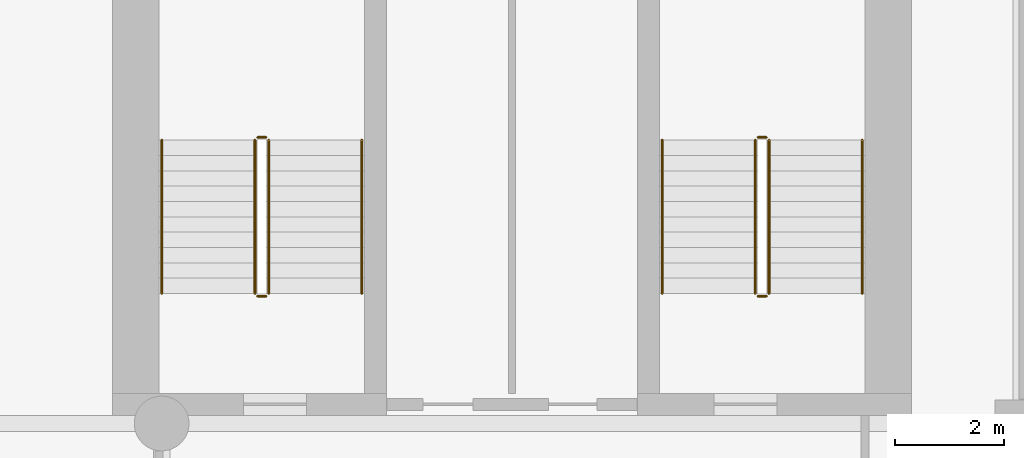
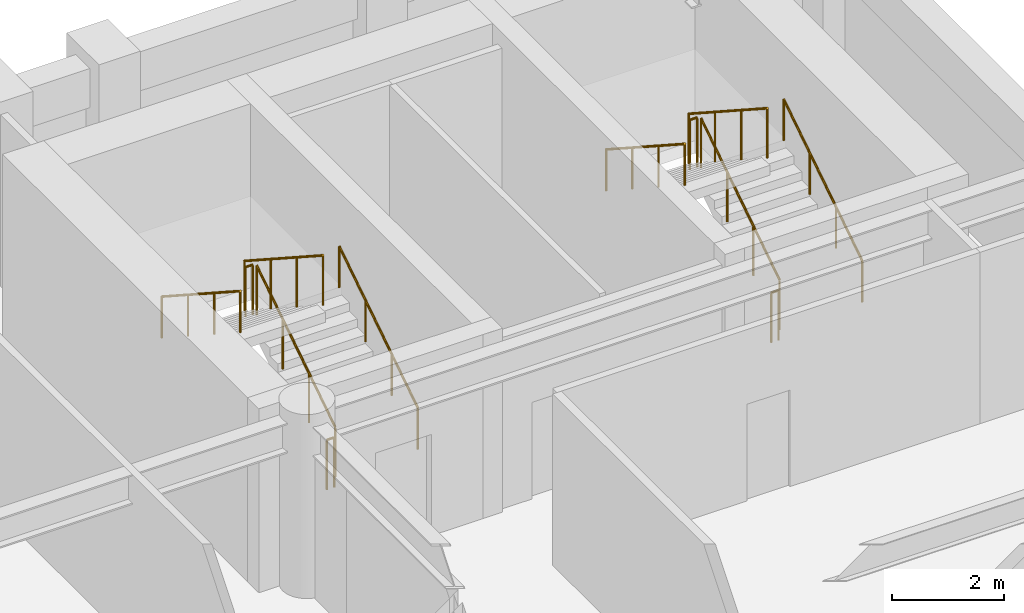
# One storey, part 9 of 9: 12 railings.
"""IFC4 building model written with IfcOpenShell, lengths in metres."""

from ifc_helpers import new_model, si_unit, direction, frame, origin, origin_2d, place, context, subcontext, project, spatial, circle, extrude, material, type_object, element, save


model = new_model("IFC4")

# Units and contexts
model_context = context("Model", 3, precision=1e-05, world=origin(), true_north=direction((0.0, 1.0)))
body_context = subcontext(model_context, "Body", "Model", "MODEL_VIEW")
ifc_project = project(units=[si_unit("LENGTHUNIT", "METRE"), si_unit("AREAUNIT", "SQUARE_METRE"), si_unit("VOLUMEUNIT", "CUBIC_METRE"), si_unit("PLANEANGLEUNIT", "RADIAN"), si_unit("MASSUNIT", "GRAM", prefix="KILO")], contexts=[model_context])

# Site, building, storey
site_placement = place(None, origin())
site = spatial("IfcSite", under=ifc_project, at=site_placement, CompositionType="ELEMENT")
building_placement = place(site_placement, origin())
building = spatial("IfcBuilding", under=site, at=building_placement, Name="Sulina Concourse Tower", CompositionType="ELEMENT")
storey_placement = place(building_placement, frame((0.0, 0.0, 120.60009765625)))
storey = spatial("IfcBuildingStorey", under=building, at=storey_placement, Name="L29", CompositionType="ELEMENT", Elevation=120.60009765625)

# Railings
ifc_material_1 = material(Name="Galvanised steel railing", Category="steel")
railing_type_1 = type_object("IfcRailingType", Name="Core Stair Steel Guardrail 1150mm", PredefinedType="GUARDRAIL", material=ifc_material_1)
railing_1_placement = place(storey_placement, frame((43.554931640625, 36.375, 0.181640625)))
element("IfcRailing", 1, at=railing_1_placement, inside=storey, type_object=railing_type_1, Name="L29 ST-3 stair guard 1", PredefinedType="GUARDRAIL", context=body_context, shape_type="SweptSolid", body=[
    extrude(circle(Radius=0.02392578125, at=origin_2d()), frame((0.0, 0.0, 1.076171875), z_axis=(0.0, 0.838672427954, 0.544636170843), x_axis=(-1.0, 0.0, 0.0)), (0.0, 0.0, 1.0), 3.338623046875),
    extrude(circle(Radius=0.02099609375, at=origin_2d()), origin(), (0.0, 0.0, 1.0), 1.052001953125),
    extrude(circle(Radius=0.02099609375, at=origin_2d()), frame((0.0, 0.933349609375, 0.606201171875)), (0.0, 0.0, 1.0), 1.052001953125),
    extrude(circle(Radius=0.02099609375, at=origin_2d()), frame((0.0, 1.86669921875, 1.212158203125)), (0.0, 0.0, 1.0), 1.052001953125),
    extrude(circle(Radius=0.02099609375, at=origin_2d()), frame((0.0, 2.800048828125, 1.818359375)), (0.0, 0.0, 1.0), 1.052001953125),
])
railing_2_placement = place(storey_placement, frame((43.5048828125, 39.22509765625, 2.0)))
element("IfcRailing", 2, at=railing_2_placement, inside=storey, type_object=railing_type_1, Name="L29 ST-3 stair guard 2", PredefinedType="GUARDRAIL", context=body_context, shape_type="SweptSolid", body=[
    extrude(circle(Radius=0.02392578125, at=origin_2d()), frame((0.0, 0.0, 1.076171875), z_axis=(-1.0, 0.0, 0.0), x_axis=(0.0, -1.0, 0.0)), (0.0, 0.0, 1.0), 0.14990234375),
    extrude(circle(Radius=0.02099609375, at=origin_2d()), origin(), (0.0, 0.0, 1.0), 1.052001953125),
    extrude(circle(Radius=0.02099609375, at=origin_2d()), frame((-0.14990234375, 0.0, 0.0)), (0.0, 0.0, 1.0), 1.052001953125),
])
railing_3_placement = place(storey_placement, frame((43.304931640625, 39.175048828125, 2.181640625)))
element("IfcRailing", 3, at=railing_3_placement, inside=storey, type_object=railing_type_1, Name="L29 ST-3 stair guard 3", PredefinedType="GUARDRAIL", context=body_context, shape_type="SweptSolid", body=[
    extrude(circle(Radius=0.02392578125, at=origin_2d()), frame((0.0, 0.0, 1.076171875), z_axis=(0.0, -0.838672427954, 0.544636170843), x_axis=(1.0, 0.0, 0.0)), (0.0, 0.0, 1.0), 3.338623046875),
    extrude(circle(Radius=0.02099609375, at=origin_2d()), origin(), (0.0, 0.0, 1.0), 1.052001953125),
    extrude(circle(Radius=0.02099609375, at=origin_2d()), frame((0.0, -0.933349609375, 0.606201171875)), (0.0, 0.0, 1.0), 1.052001953125),
    extrude(circle(Radius=0.02099609375, at=origin_2d()), frame((0.0, -1.86669921875, 1.212158203125)), (0.0, 0.0, 1.0), 1.052001953125),
    extrude(circle(Radius=0.02099609375, at=origin_2d()), frame((0.0, -2.800048828125, 1.818359375)), (0.0, 0.0, 1.0), 1.052001953125),
])
railing_4_placement = place(storey_placement, frame((43.5048828125, 36.324951171875, 0.0)))
element("IfcRailing", 4, at=railing_4_placement, inside=storey, type_object=railing_type_1, Name="L29 ST-3 stair guard 4", PredefinedType="GUARDRAIL", context=body_context, shape_type="SweptSolid", body=[
    extrude(circle(Radius=0.02392578125, at=origin_2d()), frame((0.0, 0.0, 1.076171875), z_axis=(-1.0, 0.0, 0.0), x_axis=(0.0, -1.0, 0.0)), (0.0, 0.0, 1.0), 0.14990234375),
    extrude(circle(Radius=0.02099609375, at=origin_2d()), origin(), (0.0, 0.0, 1.0), 1.052001953125),
    extrude(circle(Radius=0.02099609375, at=origin_2d()), frame((-0.14990234375, 0.0, 0.0)), (0.0, 0.0, 1.0), 1.052001953125),
])
railing_5_placement = place(storey_placement, frame((52.695068359375, 36.375, 0.181640625)))
element("IfcRailing", 5, at=railing_5_placement, inside=storey, type_object=railing_type_1, Name="L29 ST-4 stair guard 1", PredefinedType="GUARDRAIL", context=body_context, shape_type="SweptSolid", body=[
    extrude(circle(Radius=0.02392578125, at=origin_2d()), frame((0.0, 0.0, 1.076171875), z_axis=(0.0, 0.838672427954, 0.544636170843), x_axis=(-1.0, 0.0, 0.0)), (0.0, 0.0, 1.0), 3.338623046875),
    extrude(circle(Radius=0.02099609375, at=origin_2d()), origin(), (0.0, 0.0, 1.0), 1.052001953125),
    extrude(circle(Radius=0.02099609375, at=origin_2d()), frame((0.0, 0.933349609375, 0.606201171875)), (0.0, 0.0, 1.0), 1.052001953125),
    extrude(circle(Radius=0.02099609375, at=origin_2d()), frame((0.0, 1.86669921875, 1.212158203125)), (0.0, 0.0, 1.0), 1.052001953125),
    extrude(circle(Radius=0.02099609375, at=origin_2d()), frame((0.0, 2.800048828125, 1.818359375)), (0.0, 0.0, 1.0), 1.052001953125),
])
railing_6_placement = place(storey_placement, frame((52.64501953125, 39.22509765625, 2.0)))
element("IfcRailing", 6, at=railing_6_placement, inside=storey, type_object=railing_type_1, Name="L29 ST-4 stair guard 2", PredefinedType="GUARDRAIL", context=body_context, shape_type="SweptSolid", body=[
    extrude(circle(Radius=0.02392578125, at=origin_2d()), frame((0.0, 0.0, 1.076171875), z_axis=(-1.0, 0.0, 0.0), x_axis=(0.0, -1.0, 0.0)), (0.0, 0.0, 1.0), 0.14990234375),
    extrude(circle(Radius=0.02099609375, at=origin_2d()), origin(), (0.0, 0.0, 1.0), 1.052001953125),
    extrude(circle(Radius=0.02099609375, at=origin_2d()), frame((-0.14990234375, 0.0, 0.0)), (0.0, 0.0, 1.0), 1.052001953125),
])
railing_7_placement = place(storey_placement, frame((52.445068359375, 39.175048828125, 2.181640625)))
element("IfcRailing", 7, at=railing_7_placement, inside=storey, type_object=railing_type_1, Name="L29 ST-4 stair guard 3", PredefinedType="GUARDRAIL", context=body_context, shape_type="SweptSolid", body=[
    extrude(circle(Radius=0.02392578125, at=origin_2d()), frame((0.0, 0.0, 1.076171875), z_axis=(0.0, -0.838672427954, 0.544636170843), x_axis=(1.0, 0.0, 0.0)), (0.0, 0.0, 1.0), 3.338623046875),
    extrude(circle(Radius=0.02099609375, at=origin_2d()), origin(), (0.0, 0.0, 1.0), 1.052001953125),
    extrude(circle(Radius=0.02099609375, at=origin_2d()), frame((0.0, -0.933349609375, 0.606201171875)), (0.0, 0.0, 1.0), 1.052001953125),
    extrude(circle(Radius=0.02099609375, at=origin_2d()), frame((0.0, -1.86669921875, 1.212158203125)), (0.0, 0.0, 1.0), 1.052001953125),
    extrude(circle(Radius=0.02099609375, at=origin_2d()), frame((0.0, -2.800048828125, 1.818359375)), (0.0, 0.0, 1.0), 1.052001953125),
])
railing_8_placement = place(storey_placement, frame((52.64501953125, 36.324951171875, 0.0)))
element("IfcRailing", 8, at=railing_8_placement, inside=storey, type_object=railing_type_1, Name="L29 ST-4 stair guard 4", PredefinedType="GUARDRAIL", context=body_context, shape_type="SweptSolid", body=[
    extrude(circle(Radius=0.02392578125, at=origin_2d()), frame((0.0, 0.0, 1.076171875), z_axis=(-1.0, 0.0, 0.0), x_axis=(0.0, -1.0, 0.0)), (0.0, 0.0, 1.0), 0.14990234375),
    extrude(circle(Radius=0.02099609375, at=origin_2d()), origin(), (0.0, 0.0, 1.0), 1.052001953125),
    extrude(circle(Radius=0.02099609375, at=origin_2d()), frame((-0.14990234375, 0.0, 0.0)), (0.0, 0.0, 1.0), 1.052001953125),
])
ifc_material_2 = material(Name="Galvanised steel railing", Category="steel")
railing_type_2 = type_object("IfcRailingType", Name="Stair Wall Steel Handrail 920mm", PredefinedType="HANDRAIL", material=ifc_material_2)
railing_9_placement = place(storey_placement, frame((45.2548828125, 36.375, 0.181640625)))
element("IfcRailing", 9, at=railing_9_placement, inside=storey, type_object=railing_type_2, Name="L29 ST-3 stair handrail 1", PredefinedType="HANDRAIL", context=body_context, shape_type="SweptSolid", body=[
    extrude(circle(Radius=0.02392578125, at=origin_2d()), frame((0.0, 0.0, 0.89599609375), z_axis=(0.0, 0.838672427954, 0.544636170843), x_axis=(-1.0, 0.0, 0.0)), (0.0, 0.0, 1.0), 3.338623046875),
    extrude(circle(Radius=0.02099609375, at=origin_2d()), origin(), (0.0, 0.0, 1.0), 0.871826171875),
    extrude(circle(Radius=0.02099609375, at=origin_2d()), frame((0.0, 0.933349609375, 0.606201171875)), (0.0, 0.0, 1.0), 0.871826171875),
    extrude(circle(Radius=0.02099609375, at=origin_2d()), frame((0.0, 1.86669921875, 1.212158203125)), (0.0, 0.0, 1.0), 0.871826171875),
    extrude(circle(Radius=0.02099609375, at=origin_2d()), frame((0.0, 2.800048828125, 1.818359375)), (0.0, 0.0, 1.0), 0.871826171875),
])
railing_10_placement = place(storey_placement, frame((41.60498046875, 39.175048828125, 2.181640625)))
element("IfcRailing", 10, at=railing_10_placement, inside=storey, type_object=railing_type_2, Name="L29 ST-3 stair handrail 2", PredefinedType="HANDRAIL", context=body_context, shape_type="SweptSolid", body=[
    extrude(circle(Radius=0.02392578125, at=origin_2d()), frame((0.0, 0.0, 0.89599609375), z_axis=(0.0, -0.838672427954, 0.544636170843), x_axis=(1.0, 0.0, 0.0)), (0.0, 0.0, 1.0), 3.338623046875),
    extrude(circle(Radius=0.02099609375, at=origin_2d()), origin(), (0.0, 0.0, 1.0), 0.871826171875),
    extrude(circle(Radius=0.02099609375, at=origin_2d()), frame((0.0, -0.933349609375, 0.606201171875)), (0.0, 0.0, 1.0), 0.871826171875),
    extrude(circle(Radius=0.02099609375, at=origin_2d()), frame((0.0, -1.86669921875, 1.212158203125)), (0.0, 0.0, 1.0), 0.871826171875),
    extrude(circle(Radius=0.02099609375, at=origin_2d()), frame((0.0, -2.800048828125, 1.818359375)), (0.0, 0.0, 1.0), 0.871826171875),
])
railing_11_placement = place(storey_placement, frame((54.39501953125, 36.375, 0.181640625)))
element("IfcRailing", 11, at=railing_11_placement, inside=storey, type_object=railing_type_2, Name="L29 ST-4 stair handrail 1", PredefinedType="HANDRAIL", context=body_context, shape_type="SweptSolid", body=[
    extrude(circle(Radius=0.02392578125, at=origin_2d()), frame((0.0, 0.0, 0.89599609375), z_axis=(0.0, 0.838672427954, 0.544636170843), x_axis=(-1.0, 0.0, 0.0)), (0.0, 0.0, 1.0), 3.338623046875),
    extrude(circle(Radius=0.02099609375, at=origin_2d()), origin(), (0.0, 0.0, 1.0), 0.871826171875),
    extrude(circle(Radius=0.02099609375, at=origin_2d()), frame((0.0, 0.933349609375, 0.606201171875)), (0.0, 0.0, 1.0), 0.871826171875),
    extrude(circle(Radius=0.02099609375, at=origin_2d()), frame((0.0, 1.86669921875, 1.212158203125)), (0.0, 0.0, 1.0), 0.871826171875),
    extrude(circle(Radius=0.02099609375, at=origin_2d()), frame((0.0, 2.800048828125, 1.818359375)), (0.0, 0.0, 1.0), 0.871826171875),
])
railing_12_placement = place(storey_placement, frame((50.7451171875, 39.175048828125, 2.181640625)))
element("IfcRailing", 12, at=railing_12_placement, inside=storey, type_object=railing_type_2, Name="L29 ST-4 stair handrail 2", PredefinedType="HANDRAIL", context=body_context, shape_type="SweptSolid", body=[
    extrude(circle(Radius=0.02392578125, at=origin_2d()), frame((0.0, 0.0, 0.89599609375), z_axis=(0.0, -0.838672427954, 0.544636170843), x_axis=(1.0, 0.0, 0.0)), (0.0, 0.0, 1.0), 3.338623046875),
    extrude(circle(Radius=0.02099609375, at=origin_2d()), origin(), (0.0, 0.0, 1.0), 0.871826171875),
    extrude(circle(Radius=0.02099609375, at=origin_2d()), frame((0.0, -0.933349609375, 0.606201171875)), (0.0, 0.0, 1.0), 0.871826171875),
    extrude(circle(Radius=0.02099609375, at=origin_2d()), frame((0.0, -1.86669921875, 1.212158203125)), (0.0, 0.0, 1.0), 0.871826171875),
    extrude(circle(Radius=0.02099609375, at=origin_2d()), frame((0.0, -2.800048828125, 1.818359375)), (0.0, 0.0, 1.0), 0.871826171875),
])

save(model, "model.ifc")
